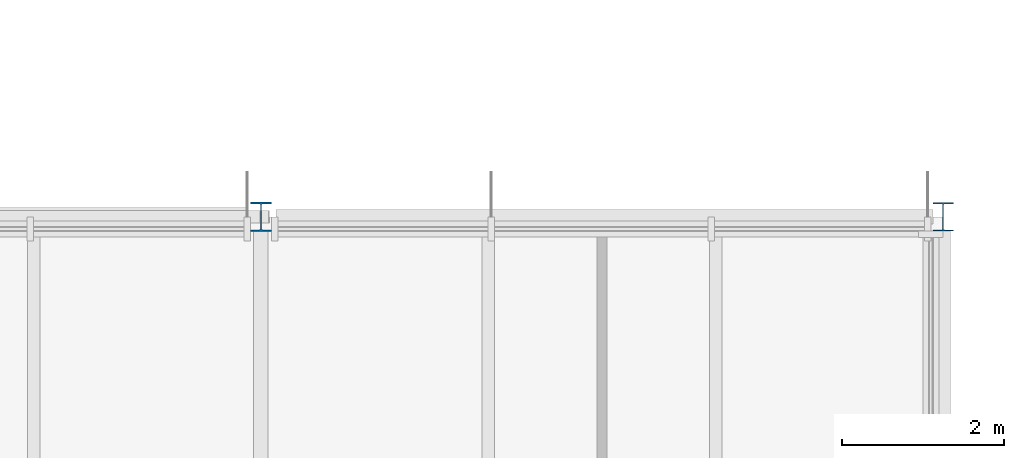
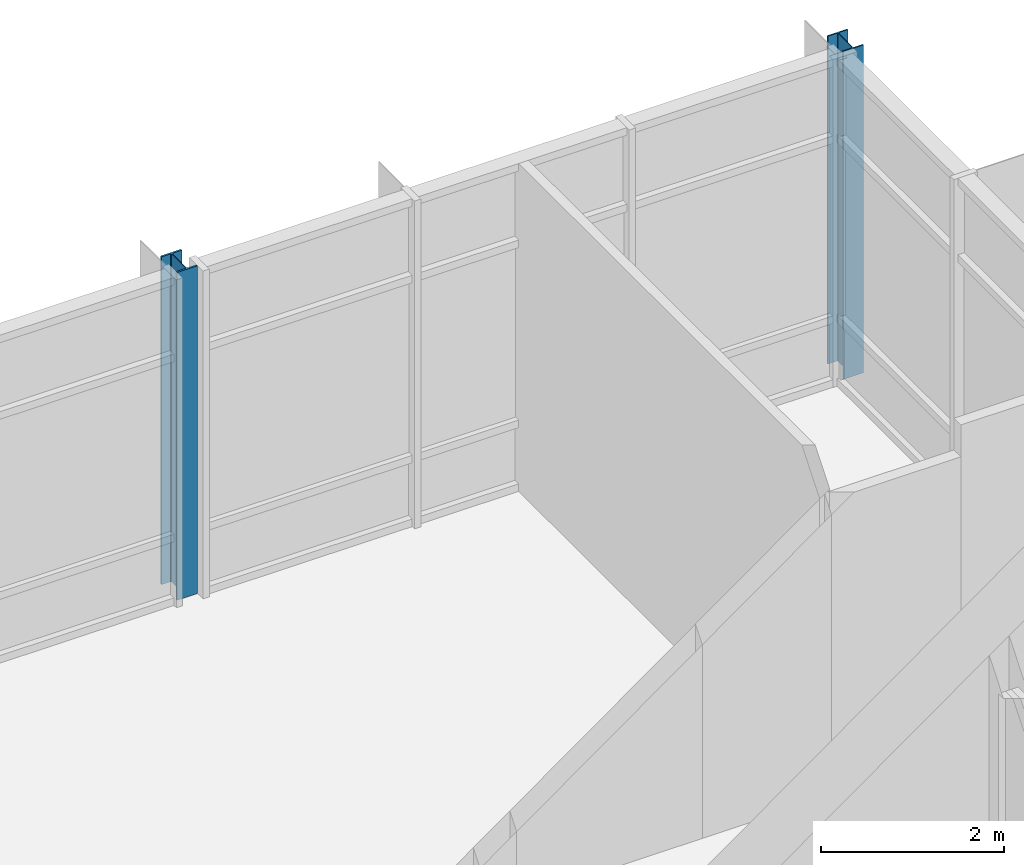
# One storey, part 7 of 76: 2 columns.
"""IFC4 building model written with IfcOpenShell, lengths in metres."""

from ifc_helpers import new_model, si_unit, direction, frame, origin, origin_2d, place, context, subcontext, project, spatial, i_section, extrude, material, material_profile, profile_set, type_object, element, save


model = new_model("IFC4")

# Units and contexts
model_context = context("Model", 3, precision=1e-05, world=origin(), true_north=direction((0.0, 1.0)))
body_context = subcontext(model_context, "Body", "Model", "MODEL_VIEW")
ifc_project = project(units=[si_unit("LENGTHUNIT", "METRE"), si_unit("AREAUNIT", "SQUARE_METRE"), si_unit("VOLUMEUNIT", "CUBIC_METRE"), si_unit("PLANEANGLEUNIT", "RADIAN"), si_unit("MASSUNIT", "GRAM", prefix="KILO")], contexts=[model_context])

# Site, building, storey
site_placement = place(None, origin())
site = spatial("IfcSite", under=ifc_project, at=site_placement, CompositionType="ELEMENT")
building_placement = place(site_placement, origin())
building = spatial("IfcBuilding", under=site, at=building_placement, Name="Hlaing Beacon Police Headquarters", CompositionType="ELEMENT")
storey_placement = place(building_placement, frame((0.0, 0.0, 18.89990234375)))
storey = spatial("IfcBuildingStorey", under=building, at=storey_placement, Name="L04", CompositionType="ELEMENT", Elevation=18.89990234375)

# Columns
ifc_material_1 = material(Name="Steel ASTM A992 Grade 50", Category="steel")
ifc_material_profile_1 = material_profile(ifc_material_1, i_section(OverallWidth=0.25390625, OverallDepth=0.35302734375, WebThickness=0.009521484375, FlangeThickness=0.016357421875, FilletRadius=0.01513671875, at=origin_2d()), Name="W14x61")
ifc_profile_set_1 = profile_set([ifc_material_profile_1], Name="Steel ASTM A992 Grade 50")
column_type_1 = type_object("IfcColumnType", Name="Steel column W14x61", PredefinedType="COLUMN", material=ifc_profile_set_1)
column_1_placement = place(storey_placement, frame((134.39990234375, 92.39990234375, 0.0), z_axis=(0.0, 0.0, 1.0), x_axis=(1.0, 0.0, 0.0)))
element("IfcColumn", 1, at=column_1_placement, inside=storey, type_object=column_type_1, Name="STR-COL-L04-S12", PredefinedType="COLUMN", context=body_context, shape_type="SweptSolid", body=[
    extrude(i_section(OverallWidth=0.25390625, OverallDepth=0.35302734375, WebThickness=0.009521484375, FlangeThickness=0.016357421875, FilletRadius=0.01513671875, at=origin_2d()), origin(), (0.0, 0.0, 1.0), 4.3701171875),
])
ifc_material_2 = material(Name="Steel ASTM A992 Grade 50", Category="steel")
ifc_material_profile_2 = material_profile(ifc_material_2, i_section(OverallWidth=0.256591796875, OverallDepth=0.36328125, WebThickness=0.012939453125, FlangeThickness=0.021728515625, FilletRadius=0.01513671875, at=origin_2d()), Name="W14x82")
ifc_profile_set_2 = profile_set([ifc_material_profile_2], Name="Steel ASTM A992 Grade 50")
column_type_2 = type_object("IfcColumnType", Name="Steel column W14x82", PredefinedType="COLUMN", material=ifc_profile_set_2)
column_2_placement = place(storey_placement, frame((126.0, 92.39990234375, 0.0), z_axis=(0.0, 0.0, 1.0), x_axis=(1.0, 0.0, 0.0)))
element("IfcColumn", 2, at=column_2_placement, inside=storey, type_object=column_type_2, Name="STR-COL-L04-R12", PredefinedType="COLUMN", context=body_context, shape_type="SweptSolid", body=[
    extrude(i_section(OverallWidth=0.256591796875, OverallDepth=0.36328125, WebThickness=0.012939453125, FlangeThickness=0.021728515625, FilletRadius=0.01513671875, at=origin_2d()), origin(), (0.0, 0.0, 1.0), 4.3701171875),
])

save(model, "model.ifc")
